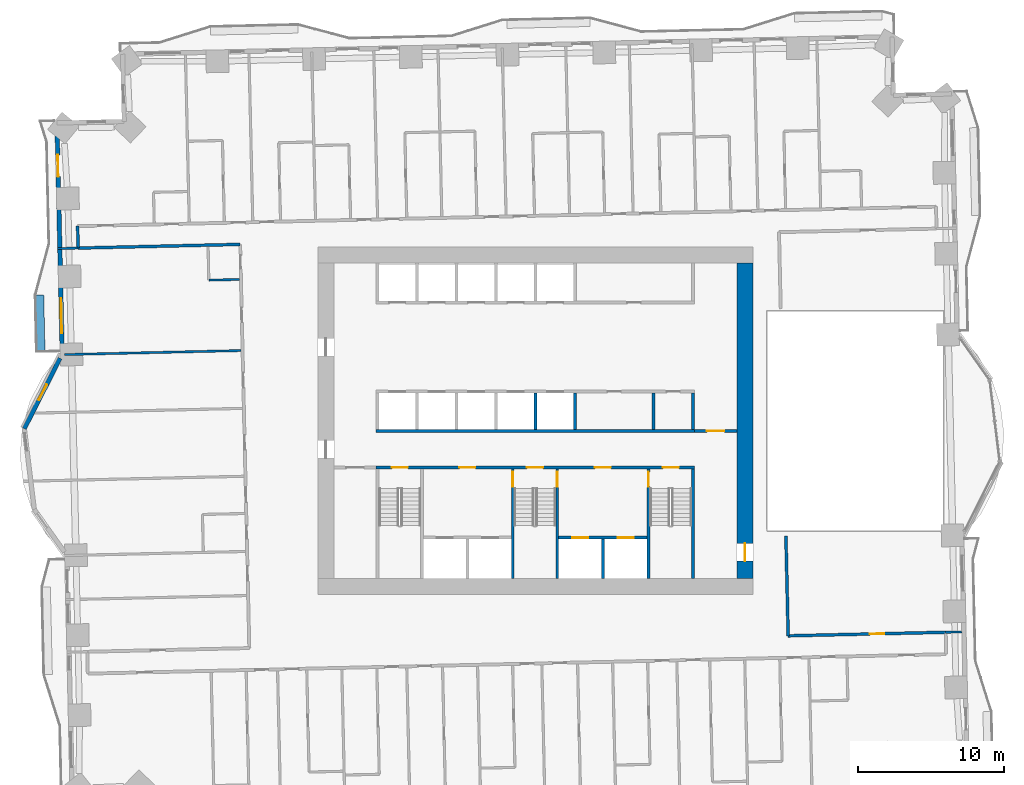
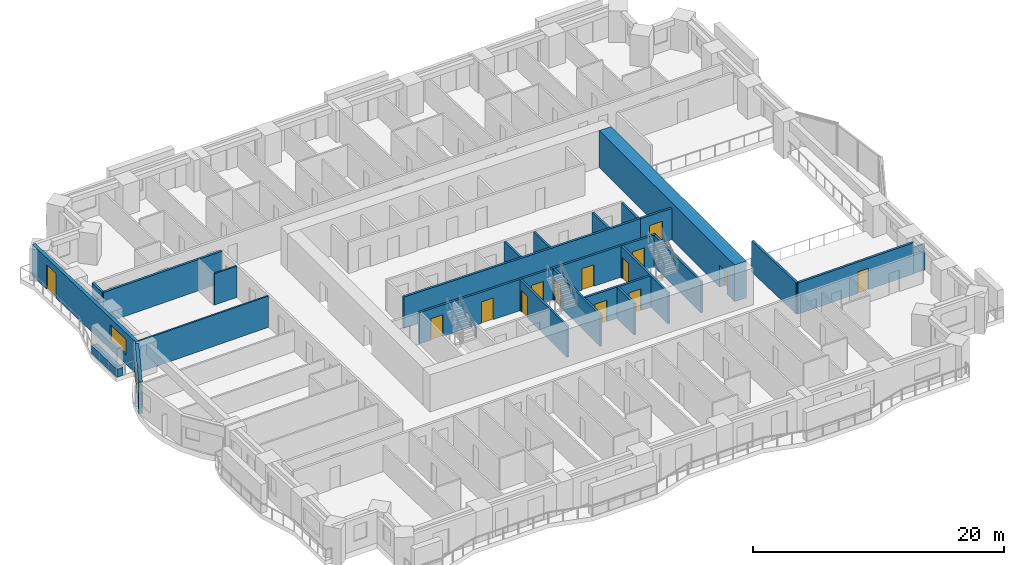
# One storey, part 8 of 16: 25 walls, 14 doors, 2 windows, 16 openings.
"""IFC4 building model written with IfcOpenShell, lengths in metres."""

import ifcopenshell
import ifcopenshell.guid

model = None  # the IFC model being written
_history = None  # IfcOwnerHistory: only IFC2X3 demands one
_inside = {}  # id of a spatial element -> (the spatial element, [elements in it])
_under = {}  # id of a project, library or spatial element -> (it, [spatial elements below it])
_declared = {}  # id of a project -> (the project, [libraries it declares])
_typed = {}  # id of a type object -> (the type object, [elements of that type])
_made_of = {}  # id of a material, layer set ... -> (it, [elements and type objects made of it])


def new_model(schema):
    """Start an empty IFC model of exactly this schema.

    Asked for "IFC4X3", IfcOpenShell would pick the latest addendum, in which some entities
    have other attributes; the version numbers below select the first issue.
    IFC2X3 requires an IfcOwnerHistory on every rooted entity: one is made here for all.
    """
    global model, _history
    if schema == "IFC4X3":
        model = ifcopenshell.file(schema_version=(4, 3, 0, 0))
    else:
        model = ifcopenshell.file(schema=schema)
    _inside.clear()
    _under.clear()
    _declared.clear()
    _typed.clear()
    _made_of.clear()
    _history = None
    if model.schema == "IFC2X3":
        org = make("IfcOrganization", Name="unknown")
        user = make(
            "IfcPersonAndOrganization",
            ThePerson=make("IfcPerson", FamilyName="unknown"),
            TheOrganization=org,
        )
        app = make(
            "IfcApplication",
            ApplicationDeveloper=org,
            Version="unknown",
            ApplicationFullName="unknown",
            ApplicationIdentifier="unknown",
        )
        _history = make(
            "IfcOwnerHistory",
            OwningUser=user,
            OwningApplication=app,
            ChangeAction="ADDED",
            CreationDate=0,
        )
    return model


def make(cls, **values):
    """One entity of the class cls with the attributes given. An attribute that is None is left unset."""
    return model.create_entity(
        cls, **{name: value for name, value in values.items() if value is not None}
    )


def rooted(cls, **values):
    """An entity with a GlobalId (a new one), such as an element, a storey or a relation."""
    return make(cls, GlobalId=ifcopenshell.guid.new(), OwnerHistory=_history, **values)


def si_unit(unit_type, name, prefix=None):
    """IfcSIUnit, for example si_unit("LENGTHUNIT", "METRE", prefix="MILLI")."""
    return make("IfcSIUnit", UnitType=unit_type, Prefix=prefix, Name=name)


def assignment(units):
    """IfcUnitAssignment: the units of a project."""
    return None if units is None else make("IfcUnitAssignment", Units=units)


def point(xyz):
    """IfcCartesianPoint."""
    return None if xyz is None else make("IfcCartesianPoint", Coordinates=xyz)


def direction(xyz):
    """IfcDirection."""
    return None if xyz is None else make("IfcDirection", DirectionRatios=xyz)


def frame(location, z_axis=None, x_axis=None):
    """IfcAxis2Placement3D, a coordinate frame: its origin and axes. An axis left out is left unset."""
    return make(
        "IfcAxis2Placement3D",
        Location=point(location),
        Axis=direction(z_axis),
        RefDirection=direction(x_axis),
    )


def frame_2d(location, x_axis=None):
    """IfcAxis2Placement2D, a coordinate frame in the plane: its origin and x axis."""
    return make(
        "IfcAxis2Placement2D", Location=point(location), RefDirection=direction(x_axis)
    )


def origin():
    """The frame at (0, 0, 0) with its axes left unset."""
    return frame((0.0, 0.0, 0.0))


def place(relative_to, where):
    """IfcLocalPlacement: puts the frame where relative to a parent placement (None: the world)."""
    return make(
        "IfcLocalPlacement", PlacementRelTo=relative_to, RelativePlacement=where
    )


def context(
    kind, dimensions, precision=None, world=None, true_north=None, identifier=None
):
    """IfcGeometricRepresentationContext, for example the 3D "Model" context."""
    return make(
        "IfcGeometricRepresentationContext",
        ContextIdentifier=identifier,
        ContextType=kind,
        CoordinateSpaceDimension=dimensions,
        Precision=precision,
        WorldCoordinateSystem=world,
        TrueNorth=true_north,
    )


def subcontext(parent, identifier, kind, view, scale=None):
    """IfcGeometricRepresentationSubContext, for example "Body" below "Model"."""
    return make(
        "IfcGeometricRepresentationSubContext",
        ContextIdentifier=identifier,
        ContextType=kind,
        ParentContext=parent,
        TargetScale=scale,
        TargetView=view,
    )


def project(units=None, contexts=None):
    """IfcProject with its units and contexts."""
    return rooted(
        "IfcProject",
        Name="project",
        RepresentationContexts=contexts,
        UnitsInContext=assignment(units),
    )


def spatial(cls, under=None, at=None, **own):
    """A site, building, storey or space (cls), placed at a placement, below another one or the project."""
    s = rooted(cls, ObjectPlacement=at, **own)
    if under is not None:
        _under.setdefault(under.id(), (under, []))[1].append(s)
    return s


def profile(cls, at=None, kind="AREA", **sizes):
    """A parametric profile (cls). Its sizes go by their IFC names, for example OverallWidth=200.0."""
    return make(cls, ProfileType=kind, Position=at, **sizes)


def rectangle(**sizes):
    """IfcRectangleProfileDef."""
    return profile("IfcRectangleProfileDef", **sizes)


def extrude(swept, where, along, depth):
    """IfcExtrudedAreaSolid: the profile swept, set in the frame where, extruded along a direction by depth."""
    return make(
        "IfcExtrudedAreaSolid",
        SweptArea=swept,
        Position=where,
        ExtrudedDirection=direction(along),
        Depth=depth,
    )


def shape(context_of_items, identifier, shape_type, items):
    """IfcShapeRepresentation: the items that make up one representation, for example the "Body"."""
    return make(
        "IfcShapeRepresentation",
        ContextOfItems=context_of_items,
        RepresentationIdentifier=identifier,
        RepresentationType=shape_type,
        Items=items,
    )


def material(Name=None, Category=None):
    """IfcMaterial."""
    return make("IfcMaterial", Name=Name, Category=Category)


def layer(
    of_material, thickness, ventilated=None, Name=None, Category=None, Priority=None
):
    """IfcMaterialLayer: one layer of a wall or slab, of a material (None: an air gap)."""
    return make(
        "IfcMaterialLayer",
        Material=of_material,
        LayerThickness=thickness,
        IsVentilated=ventilated,
        Name=Name,
        Category=Category,
        Priority=Priority,
    )


def layer_set(layers, Name=None):
    """IfcMaterialLayerSet."""
    return make("IfcMaterialLayerSet", MaterialLayers=layers, LayerSetName=Name)


def made_of(thing, what):
    """Note that an element or type object is made of a material, layer set ...; save() writes the relation."""
    if what is not None:
        _made_of.setdefault(what.id(), (what, []))[1].append(thing)
    return thing


def type_object(cls, material=None, **own):
    """A type object (cls), such as IfcWallType, which elements share."""
    return made_of(rooted(cls, **own), material)


def element(
    cls,
    number,
    at=None,
    inside=None,
    cuts=None,
    type_object=None,
    material=None,
    context=None,
    identifier="Body",
    shape_type=None,
    held_by="IfcProductDefinitionShape",
    body=None,
    shapes=None,
    **own,
):
    """One element of the class cls, such as IfcWall. Its Tag is "e" and its number.

    at: its placement. inside: the storey or other place that contains it. cuts: it is an
    opening in that element (IfcRelVoidsElement). A single representation is given by context,
    identifier, shape_type and body (its items); several are given by shapes. held_by: the class
    of the entity that holds the representations. save() writes the other relations.
    """
    e = rooted(cls, Tag="e%d" % number, ObjectPlacement=at, **own)
    if body is not None:
        shapes = [shape(context, identifier, shape_type, body)]
    if shapes is not None:
        e.Representation = make(held_by, Representations=shapes)
    if inside is not None:
        _inside.setdefault(inside.id(), (inside, []))[1].append(e)
    if cuts is not None:
        rooted(
            "IfcRelVoidsElement", RelatingBuildingElement=cuts, RelatedOpeningElement=e
        )
    if type_object is not None:
        _typed.setdefault(type_object.id(), (type_object, []))[1].append(e)
    return made_of(e, material)


def fill(opening, filler):
    """IfcRelFillsElement: the door or window that sits in an opening."""
    return rooted(
        "IfcRelFillsElement",
        RelatingOpeningElement=opening,
        RelatedBuildingElement=filler,
    )


def aggregate(whole, parts):
    """IfcRelAggregates: a whole, such as a stair, and the parts it consists of."""
    return rooted("IfcRelAggregates", RelatingObject=whole, RelatedObjects=parts)


def save(model, path):
    """Write the relations noted so far, then the file.

    IfcRelAggregates (storeys below a building ...), IfcRelContainedInSpatialStructure (elements
    in a storey), IfcRelDefinesByType, IfcRelAssociatesMaterial and IfcRelDeclares: one each for
    every whole, place, type object, material and project.
    """
    for whole, parts in _under.values():
        aggregate(whole, parts)
    for where, things in _inside.values():
        rooted(
            "IfcRelContainedInSpatialStructure",
            RelatedElements=things,
            RelatingStructure=where,
        )
    for kind, things in _typed.values():
        rooted("IfcRelDefinesByType", RelatedObjects=things, RelatingType=kind)
    for what, things in _made_of.values():
        rooted("IfcRelAssociatesMaterial", RelatedObjects=things, RelatingMaterial=what)
    for by, libraries in _declared.values():
        rooted("IfcRelDeclares", RelatingContext=by, RelatedDefinitions=libraries)
    model.write(path)


model = new_model("IFC4")

# Units and contexts
model_context = context("Model", 3, precision=1e-05, world=origin(), true_north=direction((0.0, 1.0)))
body_context = subcontext(model_context, "Body", "Model", "MODEL_VIEW")
ifc_project = project(units=[si_unit("LENGTHUNIT", "METRE"), si_unit("AREAUNIT", "SQUARE_METRE"), si_unit("VOLUMEUNIT", "CUBIC_METRE"), si_unit("PLANEANGLEUNIT", "RADIAN"), si_unit("MASSUNIT", "GRAM", prefix="KILO")], contexts=[model_context])

# Site, building, storey
site_placement = place(None, origin())
site = spatial("IfcSite", under=ifc_project, at=site_placement, CompositionType="ELEMENT")
building_placement = place(site_placement, origin())
building = spatial("IfcBuilding", under=site, at=building_placement, Name="Mangrove Gate Tower", CompositionType="ELEMENT")
storey_placement = place(building_placement, frame((0.0, 0.0, 41.300048828125)))
storey = spatial("IfcBuildingStorey", under=building, at=storey_placement, Name="L09", CompositionType="ELEMENT", Elevation=41.300048828125)

# Wall, opening, door
ifc_material_1 = material(Name="Concrete C32/40", Category="concrete")
ifc_layer_1 = layer(ifc_material_1, 0.199951171875)
ifc_layer_set_1 = layer_set([ifc_layer_1], Name="Core lobby wall 200 C32/40")
wall_type_1 = type_object("IfcWallType", Name="Core lobby wall 200 C32/40", PredefinedType="STANDARD", material=ifc_layer_set_1)
wall_1_placement = place(storey_placement, frame((10.89990234375, -0.699951171875, 0.0), z_axis=(0.0, 0.0, 1.0), x_axis=(1.0, 0.0, 0.0)))
wall_1 = element("IfcWall", 1, at=wall_1_placement, inside=storey, type_object=wall_type_1, Name="WALL-L09-CORE-35", PredefinedType="STANDARD", context=body_context, shape_type="SweptSolid", body=[
    extrude(rectangle(XDim=2.900146484375, YDim=0.199951171875, at=frame_2d((1.4501953125, 0.0))), origin(), (0.0, 0.0, 1.0), 3.050048828125),
])
opening_1_placement = place(wall_1_placement, frame((0.85009765625, 0.0, 0.0)))
opening_1 = element("IfcOpeningElement", 2, at=opening_1_placement, cuts=wall_1, Name="Opening FL12", PredefinedType="OPENING", context=body_context, shape_type="SweptSolid", body=[
    extrude(rectangle(XDim=1.199951171875, YDim=2.10009765625, at=frame_2d((0.60009765625, 1.050048828125))), frame((0.0, 0.10986328125, 0.0), z_axis=(0.0, -1.0, 0.0), x_axis=(1.0, 0.0, 0.0)), (0.0, 0.0, 1.0), 0.219970703125),
])
ifc_material_2 = material(Name="Fire-rated steel door set", Category="steel")
door_type_1 = type_object("IfcDoorType", Name="Lobby door FD60 1200x2100", OperationType="SINGLE_SWING_LEFT", PredefinedType="DOOR", material=ifc_material_2)
door_1_placement = place(opening_1_placement, origin())
door_1 = element("IfcDoor", 3, at=door_1_placement, inside=storey, type_object=door_type_1, Name="Lobby door core corridor E partition", OperationType="SINGLE_SWING_LEFT", OverallHeight=2.10009765625, OverallWidth=1.199951171875, PredefinedType="DOOR", context=body_context, shape_type="SweptSolid", body=[
    extrude(rectangle(XDim=1.199951171875, YDim=2.10009765625, at=frame_2d((0.60009765625, 1.050048828125))), frame((0.0, 0.02490234375, 0.0), z_axis=(0.0, -1.0, 0.0), x_axis=(1.0, 0.0, 0.0)), (0.0, 0.0, 1.0), 0.050048828125),
])
fill(opening_1, door_1)

# Walls
ifc_material_3 = material(Name="Concrete C32/40", Category="concrete")
ifc_layer_2 = layer(ifc_material_3, 0.199951171875)
ifc_layer_set_2 = layer_set([ifc_layer_2], Name="Core room wall 200 C32/40")
wall_type_2 = type_object("IfcWallType", Name="Core room wall 200 C32/40", PredefinedType="STANDARD", material=ifc_layer_set_2)
for number, where, z_axis, x_axis, name in (
    (4, (8.10009765625, -0.60009765625, 0.0), (0.0, 0.0, 1.0), (0.0, 1.0, 0.0), "WALL-L09-CORE-25"),
    (5, (10.800048828125, -0.60009765625, 0.0), (0.0, 0.0, 1.0), (0.0, 1.0, 0.0), "WALL-L09-CORE-26"),
):
    element("IfcWall", number, at=place(storey_placement, frame(where, z_axis=z_axis, x_axis=x_axis)), inside=storey, type_object=wall_type_2, Name=name, PredefinedType="STANDARD", context=body_context, shape_type="SweptSolid", body=[
        extrude(rectangle(XDim=2.5, YDim=0.199951171875, at=frame_2d((1.25, 0.0))), origin(), (0.0, 0.0, 1.0), 3.050048828125),
    ])
ifc_material_4 = material(Name="Concrete C70/85", Category="concrete")
ifc_layer_3 = layer(ifc_material_4, 0.199951171875)
ifc_layer_set_3 = layer_set([ifc_layer_3], Name="Core shaft wall 200 C70/85")
wall_type_3 = type_object("IfcWallType", Name="Core shaft wall 200 C70/85", PredefinedType="SHEAR", material=ifc_layer_set_3)
wall_2_placement = place(storey_placement, frame((-10.89990234375, -0.699951171875, 0.0), z_axis=(0.0, 0.0, 1.0), x_axis=(1.0, 0.0, 0.0)))
element("IfcWall", 6, at=wall_2_placement, inside=storey, type_object=wall_type_3, Name="WALL-L09-CORE-6", PredefinedType="SHEAR", context=body_context, shape_type="SweptSolid", body=[
    extrude(rectangle(XDim=21.7998046875, YDim=0.199951171875, at=frame_2d((10.89990234375, 0.0))), origin(), (0.0, 0.0, 1.0), 3.050048828125),
])

# Wall, openings, doors
wall_3_placement = place(storey_placement, frame((1.60009765625, -8.0, 0.0), z_axis=(0.0, 0.0, 1.0), x_axis=(1.0, 0.0, 0.0)))
wall_3 = element("IfcWall", 7, at=wall_3_placement, inside=storey, type_object=wall_type_3, Name="WALL-L09-CORE-17", PredefinedType="SHEAR", context=body_context, shape_type="SweptSolid", body=[
    extrude(rectangle(XDim=6.0498046875, YDim=0.199951171875, at=frame_2d((3.02490234375, 0.0))), origin(), (0.0, 0.0, 1.0), 3.050048828125),
])
opening_2_placement = place(wall_3_placement, frame((0.91259765625, 0.0, 0.0)))
opening_2 = element("IfcOpeningElement", 8, at=opening_2_placement, cuts=wall_3, Name="Opening LD", PredefinedType="OPENING", context=body_context, shape_type="SweptSolid", body=[
    extrude(rectangle(XDim=1.10009765625, YDim=2.10009765625, at=frame_2d((0.550048828125, 1.050048828125))), frame((0.0, 0.10986328125, 0.0), z_axis=(0.0, -1.0, 0.0), x_axis=(1.0, 0.0, 0.0)), (0.0, 0.0, 1.0), 0.219970703125),
])
opening_3_placement = place(wall_3_placement, frame((4.03759765625, 0.0, 0.0)))
opening_3 = element("IfcOpeningElement", 9, at=opening_3_placement, cuts=wall_3, Name="Opening LD", PredefinedType="OPENING", context=body_context, shape_type="SweptSolid", body=[
    extrude(rectangle(XDim=1.10009765625, YDim=2.10009765625, at=frame_2d((0.550048828125, 1.050048828125))), frame((0.0, 0.10986328125, 0.0), z_axis=(0.0, -1.0, 0.0), x_axis=(1.0, 0.0, 0.0)), (0.0, 0.0, 1.0), 0.219970703125),
])
ifc_material_5 = material(Name="Stainless steel 316", Category="steel")
door_type_2 = type_object("IfcDoorType", Name="Lift landing door 1100x2100", OperationType="SLIDING_TO_LEFT", PredefinedType="DOOR", material=ifc_material_5)
door_2_placement = place(opening_2_placement, origin())
door_2 = element("IfcDoor", 10, at=door_2_placement, inside=storey, type_object=door_type_2, Name="Landing door LD FFL1", OperationType="SLIDING_TO_LEFT", OverallHeight=2.10009765625, OverallWidth=1.10009765625, PredefinedType="DOOR", context=body_context, shape_type="SweptSolid", body=[
    extrude(rectangle(XDim=1.10009765625, YDim=2.10009765625, at=frame_2d((0.550048828125, 1.050048828125))), frame((0.0, 0.02490234375, 0.0), z_axis=(0.0, -1.0, 0.0), x_axis=(1.0, 0.0, 0.0)), (0.0, 0.0, 1.0), 0.050048828125),
])
fill(opening_2, door_2)
door_3_placement = place(opening_3_placement, origin())
door_3 = element("IfcDoor", 11, at=door_3_placement, inside=storey, type_object=door_type_2, Name="Landing door LD FFL2", OperationType="SLIDING_TO_LEFT", OverallHeight=2.10009765625, OverallWidth=1.10009765625, PredefinedType="DOOR", context=body_context, shape_type="SweptSolid", body=[
    extrude(rectangle(XDim=1.10009765625, YDim=2.10009765625, at=frame_2d((0.550048828125, 1.050048828125))), frame((0.0, 0.02490234375, 0.0), z_axis=(0.0, -1.0, 0.0), x_axis=(1.0, 0.0, 0.0)), (0.0, 0.0, 1.0), 0.050048828125),
])
fill(opening_3, door_3)

# Walls
wall_4_placement = place(storey_placement, frame((4.625, -10.800048828125, 0.0), z_axis=(0.0, 0.0, 1.0), x_axis=(0.0, 1.0, 0.0)))
element("IfcWall", 12, at=wall_4_placement, inside=storey, type_object=wall_type_3, Name="WALL-L09-CORE-18", PredefinedType="SHEAR", context=body_context, shape_type="SweptSolid", body=[
    extrude(rectangle(XDim=2.699951171875, YDim=0.199951171875, at=frame_2d((1.35009765625, 0.0))), origin(), (0.0, 0.0, 1.0), 3.050048828125),
])
for number, where, z_axis, x_axis, name in (
    (13, (0.0, -0.60009765625, 0.0), (0.0, 0.0, 1.0), (0.0, 1.0, 0.0), "WALL-L09-CORE-23"),
    (14, (2.699951171875, -0.60009765625, 0.0), (0.0, 0.0, 1.0), (0.0, 1.0, 0.0), "WALL-L09-CORE-24"),
):
    element("IfcWall", number, at=place(storey_placement, frame(where, z_axis=z_axis, x_axis=x_axis)), inside=storey, type_object=wall_type_3, Name=name, PredefinedType="SHEAR", context=body_context, shape_type="SweptSolid", body=[
        extrude(rectangle(XDim=2.5, YDim=0.199951171875, at=frame_2d((1.25, 0.0))), origin(), (0.0, 0.0, 1.0), 3.050048828125),
    ])

# Wall, openings, doors
ifc_material_6 = material(Name="Concrete C70/85", Category="concrete")
ifc_layer_4 = layer(ifc_material_6, 0.199951171875)
ifc_layer_set_4 = layer_set([ifc_layer_4], Name="Core stair wall 200 C70/85")
wall_type_4 = type_object("IfcWallType", Name="Core stair wall 200 C70/85", PredefinedType="SHEAR", material=ifc_layer_set_4)
wall_5_placement = place(storey_placement, frame((-10.89990234375, -3.199951171875, 0.0), z_axis=(0.0, 0.0, 1.0), x_axis=(1.0, 0.0, 0.0)))
wall_5 = element("IfcWall", 15, at=wall_5_placement, inside=storey, type_object=wall_type_4, Name="WALL-L09-CORE-5", PredefinedType="SHEAR", context=body_context, shape_type="SweptSolid", body=[
    extrude(rectangle(XDim=21.7998046875, YDim=0.199951171875, at=frame_2d((10.89990234375, 0.0))), origin(), (0.0, 0.0, 1.0), 3.050048828125),
])
opening_4_placement = place(wall_5_placement, frame((1.074951171875, 0.0, 0.0)))
opening_4 = element("IfcOpeningElement", 16, at=opening_4_placement, cuts=wall_5, Name="Opening STD11", PredefinedType="OPENING", context=body_context, shape_type="SweptSolid", body=[
    extrude(rectangle(XDim=1.10009765625, YDim=2.10009765625, at=frame_2d((0.550048828125, 1.050048828125))), frame((0.0, 0.10986328125, 0.0), z_axis=(0.0, -1.0, 0.0), x_axis=(1.0, 0.0, 0.0)), (0.0, 0.0, 1.0), 0.219970703125),
])
opening_5_placement = place(wall_5_placement, frame((10.324951171875, 0.0, 0.0)))
opening_5 = element("IfcOpeningElement", 17, at=opening_5_placement, cuts=wall_5, Name="Opening STD11", PredefinedType="OPENING", context=body_context, shape_type="SweptSolid", body=[
    extrude(rectangle(XDim=1.10009765625, YDim=2.10009765625, at=frame_2d((0.550048828125, 1.050048828125))), frame((0.0, 0.10986328125, 0.0), z_axis=(0.0, -1.0, 0.0), x_axis=(1.0, 0.0, 0.0)), (0.0, 0.0, 1.0), 0.219970703125),
])
opening_6_placement = place(wall_5_placement, frame((19.625, 0.0, 0.0)))
opening_6 = element("IfcOpeningElement", 18, at=opening_6_placement, cuts=wall_5, Name="Opening STD11", PredefinedType="OPENING", context=body_context, shape_type="SweptSolid", body=[
    extrude(rectangle(XDim=1.10009765625, YDim=2.10009765625, at=frame_2d((0.550048828125, 1.050048828125))), frame((0.0, 0.10986328125, 0.0), z_axis=(0.0, -1.0, 0.0), x_axis=(1.0, 0.0, 0.0)), (0.0, 0.0, 1.0), 0.219970703125),
])
opening_7_placement = place(wall_5_placement, frame((5.699951171875, 0.0, 0.0)))
opening_7 = element("IfcOpeningElement", 19, at=opening_7_placement, cuts=wall_5, Name="Opening FL", PredefinedType="OPENING", context=body_context, shape_type="SweptSolid", body=[
    extrude(rectangle(XDim=1.10009765625, YDim=2.10009765625, at=frame_2d((0.550048828125, 1.050048828125))), frame((0.0, 0.10986328125, 0.0), z_axis=(0.0, -1.0, 0.0), x_axis=(1.0, 0.0, 0.0)), (0.0, 0.0, 1.0), 0.219970703125),
])
opening_8_placement = place(wall_5_placement, frame((14.97509765625, 0.0, 0.0)))
opening_8 = element("IfcOpeningElement", 20, at=opening_8_placement, cuts=wall_5, Name="Opening FL", PredefinedType="OPENING", context=body_context, shape_type="SweptSolid", body=[
    extrude(rectangle(XDim=1.10009765625, YDim=2.10009765625, at=frame_2d((0.550048828125, 1.050048828125))), frame((0.0, 0.10986328125, 0.0), z_axis=(0.0, -1.0, 0.0), x_axis=(1.0, 0.0, 0.0)), (0.0, 0.0, 1.0), 0.219970703125),
])
ifc_material_7 = material(Name="Fire-rated steel door set", Category="steel")
door_type_3 = type_object("IfcDoorType", Name="Lobby door FD60 1100x2100", OperationType="SINGLE_SWING_LEFT", PredefinedType="DOOR", material=ifc_material_7)
door_4_placement = place(opening_7_placement, origin())
door_4 = element("IfcDoor", 21, at=door_4_placement, inside=storey, type_object=door_type_3, Name="Lobby door service lobby", OperationType="SINGLE_SWING_LEFT", OverallHeight=2.10009765625, OverallWidth=1.10009765625, PredefinedType="DOOR", context=body_context, shape_type="SweptSolid", body=[
    extrude(rectangle(XDim=1.10009765625, YDim=2.10009765625, at=frame_2d((0.550048828125, 1.050048828125))), frame((0.0, 0.02490234375, 0.0), z_axis=(0.0, -1.0, 0.0), x_axis=(1.0, 0.0, 0.0)), (0.0, 0.0, 1.0), 0.050048828125),
])
fill(opening_7, door_4)
door_5_placement = place(opening_8_placement, origin())
door_5 = element("IfcDoor", 22, at=door_5_placement, inside=storey, type_object=door_type_3, Name="Lobby door fire-fighting lobby", OperationType="SINGLE_SWING_LEFT", OverallHeight=2.10009765625, OverallWidth=1.10009765625, PredefinedType="DOOR", context=body_context, shape_type="SweptSolid", body=[
    extrude(rectangle(XDim=1.10009765625, YDim=2.10009765625, at=frame_2d((0.550048828125, 1.050048828125))), frame((0.0, 0.02490234375, 0.0), z_axis=(0.0, -1.0, 0.0), x_axis=(1.0, 0.0, 0.0)), (0.0, 0.0, 1.0), 0.050048828125),
])
fill(opening_8, door_5)
ifc_material_8 = material(Name="Fire-rated steel door set", Category="steel")
door_type_4 = type_object("IfcDoorType", Name="Stair door FD60 1100x2100", OperationType="SINGLE_SWING_RIGHT", PredefinedType="DOOR", material=ifc_material_8)
door_6_placement = place(opening_4_placement, origin())
door_6 = element("IfcDoor", 23, at=door_6_placement, inside=storey, type_object=door_type_4, Name="Stair door Stair 1", OperationType="SINGLE_SWING_RIGHT", OverallHeight=2.10009765625, OverallWidth=1.10009765625, PredefinedType="DOOR", context=body_context, shape_type="SweptSolid", body=[
    extrude(rectangle(XDim=1.10009765625, YDim=2.10009765625, at=frame_2d((0.550048828125, 1.050048828125))), frame((0.0, 0.02490234375, 0.0), z_axis=(0.0, -1.0, 0.0), x_axis=(1.0, 0.0, 0.0)), (0.0, 0.0, 1.0), 0.050048828125),
])
fill(opening_4, door_6)
door_7_placement = place(opening_5_placement, origin())
door_7 = element("IfcDoor", 24, at=door_7_placement, inside=storey, type_object=door_type_4, Name="Stair door Stair 2", OperationType="SINGLE_SWING_RIGHT", OverallHeight=2.10009765625, OverallWidth=1.10009765625, PredefinedType="DOOR", context=body_context, shape_type="SweptSolid", body=[
    extrude(rectangle(XDim=1.10009765625, YDim=2.10009765625, at=frame_2d((0.550048828125, 1.050048828125))), frame((0.0, 0.02490234375, 0.0), z_axis=(0.0, -1.0, 0.0), x_axis=(1.0, 0.0, 0.0)), (0.0, 0.0, 1.0), 0.050048828125),
])
fill(opening_5, door_7)
door_8_placement = place(opening_6_placement, origin())
door_8 = element("IfcDoor", 25, at=door_8_placement, inside=storey, type_object=door_type_4, Name="Stair door Stair 3", OperationType="SINGLE_SWING_RIGHT", OverallHeight=2.10009765625, OverallWidth=1.10009765625, PredefinedType="DOOR", context=body_context, shape_type="SweptSolid", body=[
    extrude(rectangle(XDim=1.10009765625, YDim=2.10009765625, at=frame_2d((0.550048828125, 1.050048828125))), frame((0.0, 0.02490234375, 0.0), z_axis=(0.0, -1.0, 0.0), x_axis=(1.0, 0.0, 0.0)), (0.0, 0.0, 1.0), 0.050048828125),
])
fill(opening_6, door_8)

# Wall, opening, door
wall_6_placement = place(storey_placement, frame((-1.550048828125, -10.800048828125, 0.0), z_axis=(0.0, 0.0, 1.0), x_axis=(0.0, 1.0, 0.0)))
wall_6 = element("IfcWall", 26, at=wall_6_placement, inside=storey, type_object=wall_type_4, Name="WALL-L09-CORE-11", PredefinedType="SHEAR", context=body_context, shape_type="SweptSolid", body=[
    extrude(rectangle(XDim=7.5, YDim=0.199951171875, at=frame_2d((3.75, 0.0))), origin(), (0.0, 0.0, 1.0), 3.050048828125),
])
opening_9_placement = place(wall_6_placement, frame((6.300048828125, 0.0, 0.0)))
opening_9 = element("IfcOpeningElement", 27, at=opening_9_placement, cuts=wall_6, Name="Opening STD10", PredefinedType="OPENING", context=body_context, shape_type="SweptSolid", body=[
    extrude(rectangle(XDim=1.0, YDim=2.10009765625, at=frame_2d((0.5, 1.050048828125))), frame((0.0, 0.10986328125, 0.0), z_axis=(0.0, -1.0, 0.0), x_axis=(1.0, 0.0, 0.0)), (0.0, 0.0, 1.0), 0.219970703125),
])
ifc_material_9 = material(Name="Fire-rated steel door set", Category="steel")
door_type_5 = type_object("IfcDoorType", Name="Stair door FD60 1000x2100", OperationType="SINGLE_SWING_RIGHT", PredefinedType="DOOR", material=ifc_material_9)
door_9_placement = place(opening_9_placement, origin())
door_9 = element("IfcDoor", 28, at=door_9_placement, inside=storey, type_object=door_type_5, Name="Stair door Stair 2 from service lobby", OperationType="SINGLE_SWING_RIGHT", OverallHeight=2.10009765625, OverallWidth=1.0, PredefinedType="DOOR", context=body_context, shape_type="SweptSolid", body=[
    extrude(rectangle(XDim=1.0, YDim=2.10009765625, at=frame_2d((0.5, 1.050048828125))), frame((0.0, 0.02490234375, 0.0), z_axis=(0.0, -1.0, 0.0), x_axis=(1.0, 0.0, 0.0)), (0.0, 0.0, 1.0), 0.050048828125),
])
fill(opening_9, door_9)

wall_7_placement = place(storey_placement, frame((1.5, -10.800048828125, 0.0), z_axis=(0.0, 0.0, 1.0), x_axis=(0.0, 1.0, 0.0)))
wall_7 = element("IfcWall", 29, at=wall_7_placement, inside=storey, type_object=wall_type_4, Name="WALL-L09-CORE-12", PredefinedType="SHEAR", context=body_context, shape_type="SweptSolid", body=[
    extrude(rectangle(XDim=7.5, YDim=0.199951171875, at=frame_2d((3.75, 0.0))), origin(), (0.0, 0.0, 1.0), 3.050048828125),
])
opening_10_placement = place(wall_7_placement, frame((6.300048828125, 0.0, 0.0)))
opening_10 = element("IfcOpeningElement", 30, at=opening_10_placement, cuts=wall_7, Name="Opening STD10", PredefinedType="OPENING", context=body_context, shape_type="SweptSolid", body=[
    extrude(rectangle(XDim=1.0, YDim=2.10009765625, at=frame_2d((0.5, 1.050048828125))), frame((0.0, 0.10986328125, 0.0), z_axis=(0.0, -1.0, 0.0), x_axis=(1.0, 0.0, 0.0)), (0.0, 0.0, 1.0), 0.219970703125),
])
door_10_placement = place(opening_10_placement, origin())
door_10 = element("IfcDoor", 31, at=door_10_placement, inside=storey, type_object=door_type_5, Name="Stair door Stair 2 from fire-fighting lobby", OperationType="SINGLE_SWING_RIGHT", OverallHeight=2.10009765625, OverallWidth=1.0, PredefinedType="DOOR", context=body_context, shape_type="SweptSolid", body=[
    extrude(rectangle(XDim=1.0, YDim=2.10009765625, at=frame_2d((0.5, 1.050048828125))), frame((0.0, 0.02490234375, 0.0), z_axis=(0.0, -1.0, 0.0), x_axis=(1.0, 0.0, 0.0)), (0.0, 0.0, 1.0), 0.050048828125),
])
fill(opening_10, door_10)

wall_8_placement = place(storey_placement, frame((7.75, -10.800048828125, 0.0), z_axis=(0.0, 0.0, 1.0), x_axis=(0.0, 1.0, 0.0)))
wall_8 = element("IfcWall", 32, at=wall_8_placement, inside=storey, type_object=wall_type_4, Name="WALL-L09-CORE-13", PredefinedType="SHEAR", context=body_context, shape_type="SweptSolid", body=[
    extrude(rectangle(XDim=7.5, YDim=0.199951171875, at=frame_2d((3.75, 0.0))), origin(), (0.0, 0.0, 1.0), 3.050048828125),
])
opening_11_placement = place(wall_8_placement, frame((6.300048828125, 0.0, 0.0)))
opening_11 = element("IfcOpeningElement", 33, at=opening_11_placement, cuts=wall_8, Name="Opening STD10", PredefinedType="OPENING", context=body_context, shape_type="SweptSolid", body=[
    extrude(rectangle(XDim=1.0, YDim=2.10009765625, at=frame_2d((0.5, 1.050048828125))), frame((0.0, 0.10986328125, 0.0), z_axis=(0.0, -1.0, 0.0), x_axis=(1.0, 0.0, 0.0)), (0.0, 0.0, 1.0), 0.219970703125),
])
door_11_placement = place(opening_11_placement, origin())
door_11 = element("IfcDoor", 34, at=door_11_placement, inside=storey, type_object=door_type_5, Name="Stair door Stair 3 from fire-fighting lobby", OperationType="SINGLE_SWING_RIGHT", OverallHeight=2.10009765625, OverallWidth=1.0, PredefinedType="DOOR", context=body_context, shape_type="SweptSolid", body=[
    extrude(rectangle(XDim=1.0, YDim=2.10009765625, at=frame_2d((0.5, 1.050048828125))), frame((0.0, 0.02490234375, 0.0), z_axis=(0.0, -1.0, 0.0), x_axis=(1.0, 0.0, 0.0)), (0.0, 0.0, 1.0), 0.050048828125),
])
fill(opening_11, door_11)

# Wall
wall_9_placement = place(storey_placement, frame((10.800048828125, -10.800048828125, 0.0), z_axis=(0.0, 0.0, 1.0), x_axis=(0.0, 1.0, 0.0)))
element("IfcWall", 35, at=wall_9_placement, inside=storey, type_object=wall_type_4, Name="WALL-L09-CORE-14", PredefinedType="SHEAR", context=body_context, shape_type="SweptSolid", body=[
    extrude(rectangle(XDim=7.5, YDim=0.199951171875, at=frame_2d((3.75, 0.0))), origin(), (0.0, 0.0, 1.0), 3.050048828125),
])

# Wall, opening, door
ifc_material_10 = material(Name="Concrete C70/85", Category="concrete")
ifc_layer_5 = layer(ifc_material_10, 1.10009765625)
ifc_layer_set_5 = layer_set([ifc_layer_5], Name="Core wall 1100 C70/85")
wall_type_5 = type_object("IfcWallType", Name="Core wall 1100 C70/85", PredefinedType="SHEAR", material=ifc_layer_set_5)
wall_10_placement = place(storey_placement, frame((14.35009765625, -10.800048828125, 0.0), z_axis=(0.0, 0.0, 1.0), x_axis=(0.0, 1.0, 0.0)))
wall_10 = element("IfcWall", 36, at=wall_10_placement, inside=storey, type_object=wall_type_5, Name="WALL-L09-CORE-4", PredefinedType="SHEAR", context=body_context, shape_type="SweptSolid", body=[
    extrude(rectangle(XDim=21.60009765625, YDim=1.10009765625, at=frame_2d((10.800048828125, 0.0))), origin(), (0.0, 0.0, 1.0), 3.599853515625),
])
opening_12_placement = place(wall_10_placement, frame((1.199951171875, 0.0, 0.0)))
opening_12 = element("IfcOpeningElement", 37, at=opening_12_placement, cuts=wall_10, Name="Opening CD", PredefinedType="OPENING", context=body_context, shape_type="SweptSolid", body=[
    extrude(rectangle(XDim=1.199951171875, YDim=2.10009765625, at=frame_2d((0.60009765625, 1.050048828125))), frame((0.0, 0.56005859375, 0.0), z_axis=(0.0, -1.0, 0.0), x_axis=(1.0, 0.0, 0.0)), (0.0, 0.0, 1.0), 1.1201171875),
])
ifc_material_11 = material(Name="Fire-rated steel door set", Category="steel")
door_type_6 = type_object("IfcDoorType", Name="Core ring door FD60 1200x2100", OperationType="DOUBLE_DOOR_SINGLE_SWING", PredefinedType="DOOR", material=ifc_material_11)
door_12_placement = place(opening_12_placement, origin())
door_12 = element("IfcDoor", 38, at=door_12_placement, inside=storey, type_object=door_type_6, Name="Core ring door E1", OperationType="DOUBLE_DOOR_SINGLE_SWING", OverallHeight=2.10009765625, OverallWidth=1.199951171875, PredefinedType="DOOR", context=body_context, shape_type="SweptSolid", body=[
    extrude(rectangle(XDim=1.199951171875, YDim=2.10009765625, at=frame_2d((0.60009765625, 1.050048828125))), frame((0.0, 0.02490234375, 0.0), z_axis=(0.0, -1.0, 0.0), x_axis=(1.0, 0.0, 0.0)), (0.0, 0.0, 1.0), 0.050048828125),
])
fill(opening_12, door_12)

ifc_material_12 = material(Name="Gypsum board on steel stud, EI 60", Category="steel")
ifc_layer_6 = layer(ifc_material_12, 0.199951171875)
ifc_layer_set_6 = layer_set([ifc_layer_6], Name="Corridor wall EI 60")
wall_type_6 = type_object("IfcWallType", Name="Corridor wall EI 60", PredefinedType="PARTITIONING", material=ifc_layer_set_6)
wall_11_placement = place(storey_placement, frame((17.305908203125, -14.72412109375, 0.0), z_axis=(0.0, 0.0, 1.0), x_axis=(0.999744269809, 0.022614043969, 0.0)))
wall_11 = element("IfcWall", 39, at=wall_11_placement, inside=storey, type_object=wall_type_6, Name="WALL-L09-037", PredefinedType="PARTITIONING", context=body_context, shape_type="SweptSolid", body=[
    extrude(rectangle(XDim=10.7958984375, YDim=0.199951171875, at=frame_2d((5.39794921875, 0.0))), origin(), (0.0, 0.0, 1.0), 3.050048828125),
])
opening_13_placement = place(wall_11_placement, frame((5.597900390625, 0.0, 0.0)))
opening_13 = element("IfcOpeningElement", 40, at=opening_13_placement, cuts=wall_11, Name="Opening AD", PredefinedType="OPENING", context=body_context, shape_type="SweptSolid", body=[
    extrude(rectangle(XDim=1.0, YDim=2.10009765625, at=frame_2d((0.5, 1.050048828125))), frame((0.0, 0.10986328125, 0.0), z_axis=(0.0, -1.0, 0.0), x_axis=(1.0, 0.0, 0.0)), (0.0, 0.0, 1.0), 0.219970703125),
])
ifc_material_13 = material(Name="Timber door leaf", Category="wood")
door_type_7 = type_object("IfcDoorType", Name="Amenity door 1000", OperationType="SINGLE_SWING_LEFT", PredefinedType="DOOR", material=ifc_material_13)
door_13_placement = place(opening_13_placement, origin())
door_13 = element("IfcDoor", 41, at=door_13_placement, inside=storey, type_object=door_type_7, Name="DOOR-L09-LNG-c3a", OperationType="SINGLE_SWING_LEFT", OverallHeight=2.10009765625, OverallWidth=1.0, PredefinedType="DOOR", context=body_context, shape_type="SweptSolid", body=[
    extrude(rectangle(XDim=1.0, YDim=2.10009765625, at=frame_2d((0.5, 1.050048828125))), frame((0.0, 0.02490234375, 0.0), z_axis=(0.0, -1.0, 0.0), x_axis=(1.0, 0.0, 0.0)), (0.0, 0.0, 1.0), 0.050048828125),
])
fill(opening_13, door_13)

# Walls
wall_12_placement = place(storey_placement, frame((17.31103515625, -14.72412109375, 0.0), z_axis=(0.0, 0.0, 1.0), x_axis=(-0.022562209343, 0.999745440955, 0.0)))
element("IfcWall", 42, at=wall_12_placement, inside=storey, type_object=wall_type_6, Name="WALL-L09-038", PredefinedType="PARTITIONING", context=body_context, shape_type="SweptSolid", body=[
    extrude(rectangle(XDim=6.827880859375, YDim=0.199951171875, at=frame_2d((3.4140625, 0.0))), origin(), (0.0, 0.0, 1.0), 3.050048828125),
])
wall_13_placement = place(storey_placement, frame((-31.31298828125, 11.8291015625, 0.0), z_axis=(0.0, 0.0, 1.0), x_axis=(0.999742346277, 0.022698921993, 0.0)))
element("IfcWall", 43, at=wall_13_placement, inside=storey, type_object=wall_type_6, Name="WALL-L09-051", PredefinedType="PARTITIONING", context=body_context, shape_type="SweptSolid", body=[
    extrude(rectangle(XDim=11.099853515625, YDim=0.199951171875, at=frame_2d((5.5498046875, 0.0))), origin(), (0.0, 0.0, 1.0), 3.050048828125),
])
wall_14_placement = place(storey_placement, frame((-31.31298828125, 11.8291015625, 0.0), z_axis=(0.0, 0.0, 1.0), x_axis=(-0.022617910375, 0.999744182344, 0.0)))
element("IfcWall", 44, at=wall_14_placement, inside=storey, type_object=wall_type_6, Name="WALL-L09-052", PredefinedType="PARTITIONING", context=body_context, shape_type="SweptSolid", body=[
    extrude(rectangle(XDim=1.50048828125, YDim=0.199951171875, at=frame_2d((0.750244140625, 0.0))), origin(), (0.0, 0.0, 1.0), 3.050048828125),
])

# Wall, openings, door, window
ifc_material_14 = material(Name="Limestone", Category="masonry")
ifc_layer_7 = layer(ifc_material_14, 0.0400390625, Name="Limestone cladding")
ifc_material_15 = material(Name="Ventilated air gap")
ifc_layer_8 = layer(ifc_material_15, 0.0400390625, Name="Ventilated cavity")
ifc_material_16 = material(Name="Mineral wool insulation")
ifc_layer_9 = layer(ifc_material_16, 0.06005859375, Name="Insulation")
ifc_material_17 = material(Name="Breather membrane")
ifc_layer_10 = layer(ifc_material_17, 0.001953125, Name="Breather membrane")
ifc_material_18 = material(Name="Concrete C20/25 blockwork", Category="masonry")
ifc_layer_11 = layer(ifc_material_18, 0.14990234375, Name="Blockwork backing wall")
ifc_material_19 = material(Name="Gypsum plaster")
ifc_layer_12 = layer(ifc_material_19, 0.008056640625, Name="Internal plaster")
ifc_layer_set_7 = layer_set([ifc_layer_7, ifc_layer_8, ifc_layer_9, ifc_layer_10, ifc_layer_11, ifc_layer_12], Name="External wall 300 limestone cladding")
wall_type_7 = type_object("IfcWallType", Name="External wall 300 limestone cladding", PredefinedType="SOLIDWALL", material=ifc_layer_set_7)
wall_15_placement = place(storey_placement, frame((-32.758056640625, 20.39892578125, 0.0), z_axis=(0.0, 0.0, 1.0), x_axis=(0.022668485183, -0.999743036875, 0.0)))
wall_15 = element("IfcWall", 45, at=wall_15_placement, inside=storey, type_object=wall_type_7, Name="WALL-L09-W8", PredefinedType="SOLIDWALL", context=body_context, shape_type="SweptSolid", body=[
    extrude(rectangle(XDim=15.928955078125, YDim=0.300048828125, at=frame_2d((7.96435546875, 0.0))), origin(), (0.0, 0.0, 1.0), 3.050048828125),
])
opening_14_placement = place(wall_15_placement, frame((2.18310546875, 0.0, 0.0)))
opening_14 = element("IfcOpeningElement", 46, at=opening_14_placement, cuts=wall_15, Name="Opening BD1", PredefinedType="OPENING", context=body_context, shape_type="SweptSolid", body=[
    extrude(rectangle(XDim=1.5, YDim=2.39990234375, at=frame_2d((0.75, 1.199951171875))), frame((0.0, 0.159912109375, 0.0), z_axis=(0.0, -1.0, 0.0), x_axis=(1.0, 0.0, 0.0)), (0.0, 0.0, 1.0), 0.320068359375),
])
opening_15_placement = place(wall_15_placement, frame((12.00390625, 0.0, 0.89990234375)))
opening_15 = element("IfcOpeningElement", 47, at=opening_15_placement, cuts=wall_15, Name="Opening W2", PredefinedType="OPENING", context=body_context, shape_type="SweptSolid", body=[
    extrude(rectangle(XDim=2.39990234375, YDim=1.5, at=frame_2d((1.199951171875, 0.75))), frame((0.0, 0.159912109375, 0.0), z_axis=(0.0, -1.0, 0.0), x_axis=(1.0, 0.0, 0.0)), (0.0, 0.0, 1.0), 0.320068359375),
])
ifc_material_20 = material(Name="Aluminium frame with laminated clear glass", Category="aluminium")
door_type_8 = type_object("IfcDoorType", Name="Balcony sliding door 1500x2400", OperationType="SLIDING_TO_LEFT", PredefinedType="DOOR", material=ifc_material_20)
door_14_placement = place(opening_14_placement, origin())
door_14 = element("IfcDoor", 48, at=door_14_placement, inside=storey, type_object=door_type_8, Name="DOOR-L09-W8-1", OperationType="SLIDING_TO_LEFT", OverallHeight=2.39990234375, OverallWidth=1.5, PredefinedType="DOOR", context=body_context, shape_type="SweptSolid", body=[
    extrude(rectangle(XDim=1.5, YDim=2.39990234375, at=frame_2d((0.75, 1.199951171875))), frame((0.0, 0.02490234375, 0.0), z_axis=(0.0, -1.0, 0.0), x_axis=(1.0, 0.0, 0.0)), (0.0, 0.0, 1.0), 0.050048828125),
])
fill(opening_14, door_14)
ifc_material_21 = material(Name="Aluminium frame with double-glazed low-e glass", Category="aluminium")
window_type_1 = type_object("IfcWindowType", Name="Corner room window 2400x1500", PartitioningType="DOUBLE_PANEL_VERTICAL", PredefinedType="WINDOW", material=ifc_material_21)
window_1_placement = place(opening_15_placement, origin())
window_1 = element("IfcWindow", 49, at=window_1_placement, inside=storey, type_object=window_type_1, Name="WIN-L09-W8-2", OverallHeight=1.5, OverallWidth=2.39990234375, PartitioningType="DOUBLE_PANEL_VERTICAL", PredefinedType="WINDOW", context=body_context, shape_type="SweptSolid", body=[
    extrude(rectangle(XDim=2.39990234375, YDim=1.5, at=frame_2d((1.199951171875, 0.75))), frame((0.0, 0.030029296875, 0.0), z_axis=(0.0, -1.0, 0.0), x_axis=(1.0, 0.0, 0.0)), (0.0, 0.0, 1.0), 0.06005859375),
])
fill(opening_15, window_1)

# Wall, opening, window
wall_16_placement = place(storey_placement, frame((-32.552001953125, 4.280029296875, 0.0), z_axis=(0.0, 0.0, 1.0), x_axis=(-0.452703975507, -0.891660871946, 0.0)))
wall_16 = element("IfcWall", 50, at=wall_16_placement, inside=storey, type_object=wall_type_7, Name="WALL-L09-W9f1", PredefinedType="SOLIDWALL", context=body_context, shape_type="SweptSolid", body=[
    extrude(rectangle(XDim=5.39892578125, YDim=0.300048828125, at=frame_2d((2.699462890625, 0.0))), origin(), (0.0, 0.0, 1.0), 3.050048828125),
])
opening_16_placement = place(wall_16_placement, frame((2.007080078125, 0.0, 0.89990234375)))
opening_16 = element("IfcOpeningElement", 51, at=opening_16_placement, cuts=wall_16, Name="Opening W1", PredefinedType="OPENING", context=body_context, shape_type="SweptSolid", body=[
    extrude(rectangle(XDim=1.199951171875, YDim=1.5, at=frame_2d((0.60009765625, 0.75))), frame((0.0, 0.159912109375, 0.0), z_axis=(0.0, -1.0, 0.0), x_axis=(1.0, 0.0, 0.0)), (0.0, 0.0, 1.0), 0.320068359375),
])
ifc_material_22 = material(Name="Aluminium frame with double-glazed low-e glass", Category="aluminium")
window_type_2 = type_object("IfcWindowType", Name="Side lite 1200x1500", PartitioningType="SINGLE_PANEL", PredefinedType="WINDOW", material=ifc_material_22)
window_2_placement = place(opening_16_placement, origin())
window_2 = element("IfcWindow", 52, at=window_2_placement, inside=storey, type_object=window_type_2, Name="WIN-L09-W9f1", OverallHeight=1.5, OverallWidth=1.199951171875, PartitioningType="SINGLE_PANEL", PredefinedType="WINDOW", context=body_context, shape_type="SweptSolid", body=[
    extrude(rectangle(XDim=1.199951171875, YDim=1.5, at=frame_2d((0.60009765625, 0.75))), frame((0.0, 0.030029296875, 0.0), z_axis=(0.0, -1.0, 0.0), x_axis=(1.0, 0.0, 0.0)), (0.0, 0.0, 1.0), 0.06005859375),
])
fill(opening_16, window_2)

# Walls
ifc_material_23 = material(Name="Gypsum board on steel stud, EI 60", Category="steel")
ifc_layer_13 = layer(ifc_material_23, 0.14990234375)
ifc_layer_set_8 = layer_set([ifc_layer_13], Name="Party wall 150 EI 60")
wall_type_8 = type_object("IfcWallType", Name="Party wall 150 EI 60", PredefinedType="PARTITIONING", material=ifc_layer_set_8)
wall_17_placement = place(storey_placement, frame((28.094970703125, -14.47998046875, 0.0), z_axis=(0.0, 0.0, 1.0), x_axis=(0.999745251335, 0.022570609924, 0.0)))
element("IfcWall", 53, at=wall_17_placement, inside=storey, type_object=wall_type_8, Name="WALL-L09-039", PredefinedType="PARTITIONING", context=body_context, shape_type="SweptSolid", body=[
    extrude(rectangle(XDim=1.103271484375, YDim=0.14990234375, at=frame_2d((0.5517578125, 0.0))), origin(), (0.0, 0.0, 1.0), 2.550048828125),
])
wall_18_placement = place(storey_placement, frame((-32.248046875, 4.535888671875, 0.0), z_axis=(0.0, 0.0, 1.0), x_axis=(0.999741439573, 0.022738821441, 0.0)))
element("IfcWall", 54, at=wall_18_placement, inside=storey, type_object=wall_type_8, Name="WALL-L09-046", PredefinedType="PARTITIONING", context=body_context, shape_type="SweptSolid", body=[
    extrude(rectangle(XDim=12.100341796875, YDim=0.14990234375, at=frame_2d((6.05029296875, 0.0))), origin(), (0.0, 0.0, 1.0), 3.050048828125),
])
wall_19_placement = place(storey_placement, frame((-22.361083984375, 9.632080078125, 0.0), z_axis=(0.0, 0.0, 1.0), x_axis=(0.999740272436, 0.02279007832, 0.0)))
element("IfcWall", 55, at=wall_19_placement, inside=storey, type_object=wall_type_8, Name="WALL-L09-048", PredefinedType="PARTITIONING", context=body_context, shape_type="SweptSolid", body=[
    extrude(rectangle(XDim=2.099609375, YDim=0.14990234375, at=frame_2d((1.0498046875, 0.0))), origin(), (0.0, 0.0, 1.0), 3.050048828125),
])
wall_20_placement = place(storey_placement, frame((-32.712890625, 11.798095703125, 0.0), z_axis=(0.0, 0.0, 1.0), x_axis=(0.999756172383, 0.022081571112, 0.0)))
element("IfcWall", 56, at=wall_20_placement, inside=storey, type_object=wall_type_8, Name="WALL-L09-050", PredefinedType="PARTITIONING", context=body_context, shape_type="SweptSolid", body=[
    extrude(rectangle(XDim=1.404052734375, YDim=0.14990234375, at=frame_2d((0.7021484375, 0.0))), origin(), (0.0, 0.0, 1.0), 2.550048828125),
])
ifc_material_24 = material(Name="Concrete C32/40", Category="concrete")
ifc_layer_14 = layer(ifc_material_24, 0.199951171875, Name="Planter trough wall")
ifc_material_25 = material(Name="Bituminous waterproofing membrane")
ifc_layer_15 = layer(ifc_material_25, 0.0048828125, Name="Waterproofing")
ifc_material_26 = material(Name="Drainage board and gravel")
ifc_layer_16 = layer(ifc_material_26, 0.044921875, Name="Drainage layer")
ifc_material_27 = material(Name="Planting soil")
ifc_layer_17 = layer(ifc_material_27, 0.300048828125, Name="Growing medium")
ifc_layer_set_9 = layer_set([ifc_layer_14, ifc_layer_15, ifc_layer_16, ifc_layer_17], Name="Planter wall 550 C32/40")
wall_type_9 = type_object("IfcWallType", Name="Planter wall 550 C32/40", PredefinedType="USERDEFINED", material=ifc_layer_set_9)
wall_21_placement = place(storey_placement, frame((-33.85302734375, 4.74609375, 0.0), z_axis=(0.0, 0.0, 1.0), x_axis=(-0.02268847822, 0.999742583346, 0.0)))
element("IfcWall", 57, at=wall_21_placement, inside=storey, type_object=wall_type_9, Name="PLANTER L09 W0.1", ObjectType="PLANTER", PredefinedType="USERDEFINED", context=body_context, shape_type="SweptSolid", body=[
    extrude(rectangle(XDim=3.873779296875, YDim=0.550048828125, at=frame_2d((1.93701171875, 0.0))), origin(), (0.0, 0.0, 1.0), 0.800048828125),
])

save(model, "model.ifc")
